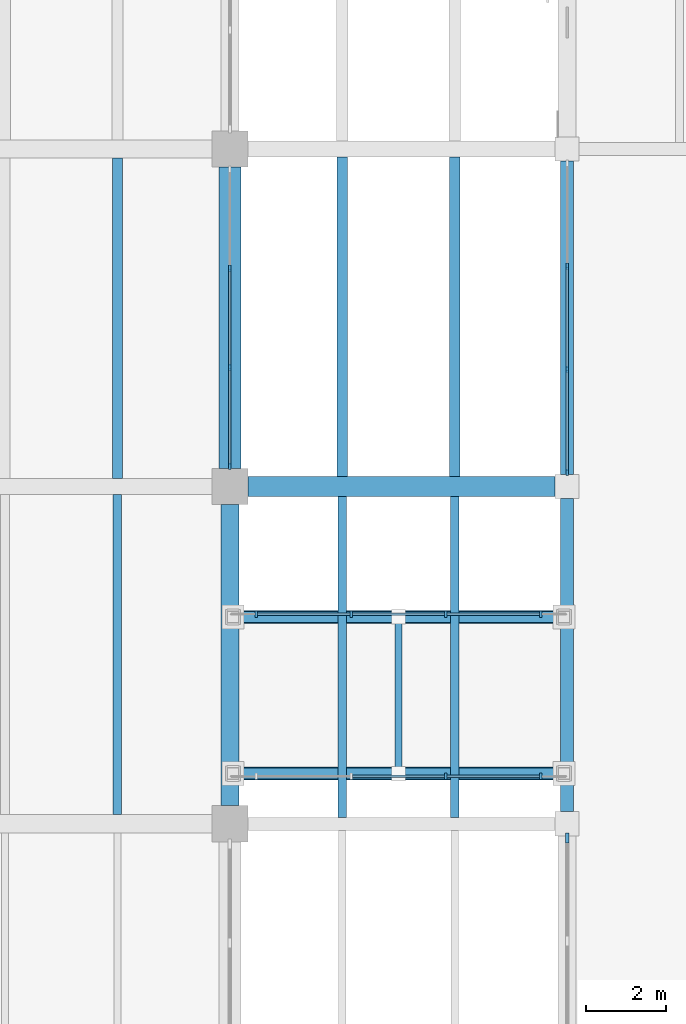
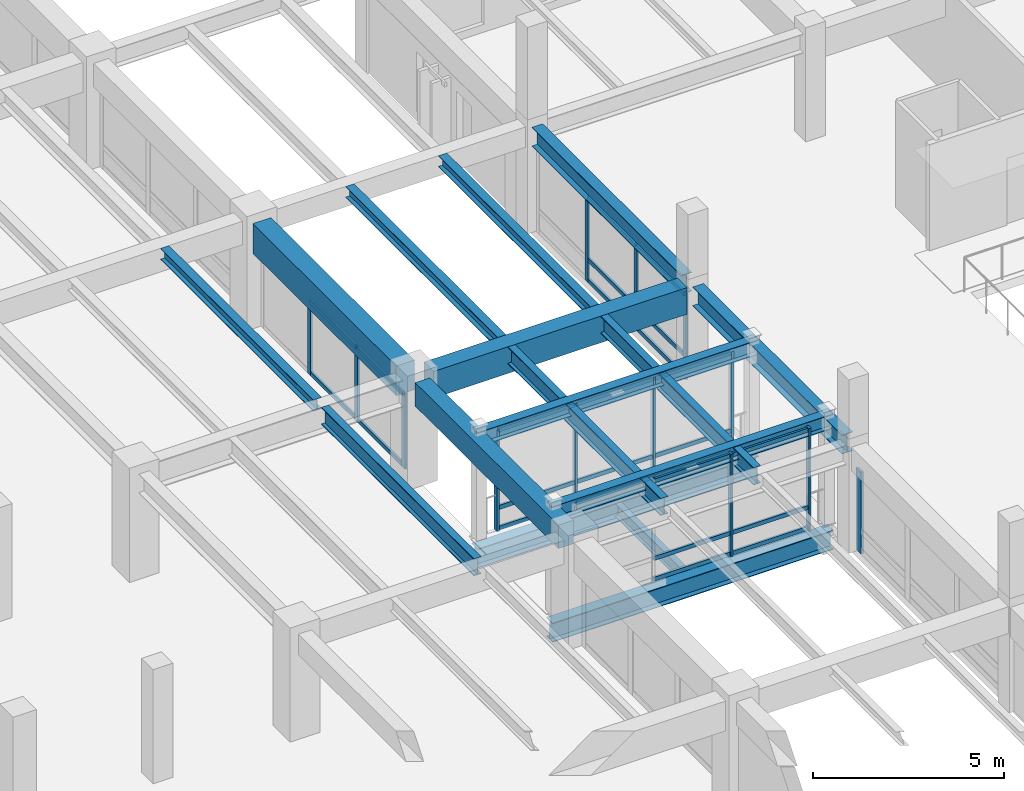
# One storey, part 21 of 118: 38 members, 16 beams, 5 elements without a shape of their own.
"""IFC4 building model written with IfcOpenShell, lengths in metres."""

from ifc_helpers import new_model, si_unit, direction, frame, origin, origin_2d, place, context, subcontext, project, spatial, rectangle, i_section, extrude, material, material_profile, profile_set, type_object, element, aggregate, save


model = new_model("IFC4")

# Units and contexts
model_context = context("Model", 3, precision=1e-05, world=origin(), true_north=direction((0.0, 1.0)))
body_context = subcontext(model_context, "Body", "Model", "MODEL_VIEW")
ifc_project = project(units=[si_unit("LENGTHUNIT", "METRE"), si_unit("AREAUNIT", "SQUARE_METRE"), si_unit("VOLUMEUNIT", "CUBIC_METRE"), si_unit("PLANEANGLEUNIT", "RADIAN"), si_unit("MASSUNIT", "GRAM", prefix="KILO")], contexts=[model_context])

# Site, building, storey
site_placement = place(None, origin())
site = spatial("IfcSite", under=ifc_project, at=site_placement, CompositionType="ELEMENT")
building_placement = place(site_placement, origin())
building = spatial("IfcBuilding", under=site, at=building_placement, Name="Cumbredor Promenade Congress Hotel", CompositionType="ELEMENT")
storey_placement = place(building_placement, frame((0.0, 0.0, 3.919921875)))
storey = spatial("IfcBuildingStorey", under=building, at=storey_placement, Name="L01", CompositionType="ELEMENT", Elevation=3.919921875)

# Beams
ifc_material_1 = material(Name="Concrete C40/50", Category="concrete")
ifc_material_profile_1 = material_profile(ifc_material_1, rectangle(XDim=0.449951171875, YDim=0.75, at=origin_2d()), Name="RC BEAM 450x750")
ifc_profile_set_1 = profile_set([ifc_material_profile_1], Name="Concrete C40/50")
beam_type_1 = type_object("IfcBeamType", Name="BM-RC-450x750", PredefinedType="BEAM", material=ifc_profile_set_1)
beam_1_placement = place(storey_placement, frame((67.199951171875, 25.64990234375, 2.985107421875), z_axis=(0.0, 1.0, 0.0), x_axis=(-1.0, 0.0, 0.0)))
element("IfcBeam", 1, at=beam_1_placement, inside=storey, type_object=beam_type_1, Name="L02 Y-Grid Beam 118", PredefinedType="BEAM", context=body_context, shape_type="SweptSolid", body=[
    extrude(rectangle(XDim=0.449951171875, YDim=0.75, at=origin_2d()), origin(), (0.0, 0.0, 1.0), 7.5),
])
ifc_material_profile_2 = material_profile(ifc_material_1, rectangle(XDim=0.5, YDim=0.85009765625, at=origin_2d()), Name="RC BEAM 500x850")
ifc_profile_set_2 = profile_set([ifc_material_profile_2], Name="Concrete C40/50")
beam_type_2 = type_object("IfcBeamType", Name="BM-RC-500x850", PredefinedType="BEAM", material=ifc_profile_set_2)
beam_2_placement = place(storey_placement, frame((67.64990234375, 33.60009765625, 2.93505859375), z_axis=(1.0, 0.0, 0.0), x_axis=(0.0, 1.0, 0.0)))
element("IfcBeam", 2, at=beam_2_placement, inside=storey, type_object=beam_type_2, Name="L02 X-Grid Beam 119", PredefinedType="BEAM", context=body_context, shape_type="SweptSolid", body=[
    extrude(rectangle(XDim=0.5, YDim=0.85009765625, at=origin_2d()), origin(), (0.0, 0.0, 1.0), 7.650146484375),
])
ifc_material_profile_3 = material_profile(ifc_material_1, rectangle(XDim=0.550048828125, YDim=0.949951171875, at=origin_2d()), Name="RC BEAM 550x950")
ifc_profile_set_3 = profile_set([ifc_material_profile_3], Name="Concrete C40/50")
beam_type_3 = type_object("IfcBeamType", Name="BM-RC-550x950", PredefinedType="BEAM", material=ifc_profile_set_3)
beam_3_placement = place(storey_placement, frame((67.199951171875, 34.050048828125, 2.885009765625), z_axis=(0.0, 1.0, 0.0), x_axis=(-1.0, 0.0, 0.0)))
element("IfcBeam", 3, at=beam_3_placement, inside=storey, type_object=beam_type_3, Name="L02 Y-Grid Beam 120", PredefinedType="BEAM", context=body_context, shape_type="SweptSolid", body=[
    extrude(rectangle(XDim=0.550048828125, YDim=0.949951171875, at=origin_2d()), origin(), (0.0, 0.0, 1.0), 7.5),
])
ifc_material_2 = material(Name="Steel ASTM A992 Grade 50", Category="steel")
ifc_material_profile_4 = material_profile(ifc_material_2, i_section(OverallWidth=0.323974609375, OverallDepth=0.611083984375, WebThickness=0.0126953125, FlangeThickness=0.01904296875, at=origin_2d()), Name="W24X104")
ifc_profile_set_4 = profile_set([ifc_material_profile_4], Name="Steel ASTM A992 Grade 50")
beam_type_4 = type_object("IfcBeamType", Name="BM-W24X104", PredefinedType="BEAM", material=ifc_profile_set_4)
for number, where, z_axis, x_axis, name in (
    (4, (67.159912109375, 26.449951171875, -0.525390625), (1.0, 0.0, 0.0), (0.0, 1.0, 0.0), "L01 Central Plenary-to-Spa Pool Bridge Edge Girder 1"),
    (5, (67.159912109375, 30.35009765625, -0.525390625), (1.0, 0.0, 0.0), (0.0, 1.0, 0.0), "L01 Central Plenary-to-Spa Pool Bridge Edge Girder 2"),
):
    element("IfcBeam", number, at=place(storey_placement, frame(where, z_axis=z_axis, x_axis=x_axis)), inside=storey, type_object=beam_type_4, Name=name, PredefinedType="BEAM", context=body_context, shape_type="SweptSolid", body=[
        extrude(i_section(OverallWidth=0.323974609375, OverallDepth=0.611083984375, WebThickness=0.0126953125, FlangeThickness=0.01904296875, at=origin_2d()), origin(), (0.0, 0.0, 1.0), 8.47998046875),
    ])

# Curtain wall, members
ifc_material_3 = material(Name="Thermally broken anodized aluminium and low-E glass", Category="aluminium")
curtain_wall_type_1 = type_object("IfcCurtainWallType", Name="Unitised Bronze Curtain Wall CW-01", PredefinedType="NOTDEFINED", material=ifc_material_3)
curtain_wall_1_placement = place(storey_placement, origin())
curtain_wall_1 = element("IfcCurtainWall", 6, at=curtain_wall_1_placement, inside=storey, type_object=curtain_wall_type_1, Name="L01 Plenary Congress Hall East Curtain Wall 4", PredefinedType="NOTDEFINED")
ifc_material_4 = material(Name="Thermally broken anodized aluminium", Category="aluminium")
ifc_material_profile_5 = material_profile(ifc_material_4, rectangle(XDim=0.06494140625, YDim=0.159912109375, at=origin_2d()), Name="ALU MULLION 65x160")
ifc_profile_set_5 = profile_set([ifc_material_profile_5], Name="Thermally broken anodized aluminium")
member_type_1 = type_object("IfcMemberType", Name="Curtain Wall Mullion ML-01", PredefinedType="MULLION", material=ifc_profile_set_5)
member_1_placement = place(storey_placement, frame((67.199951171875, 34.10498046875, -0.0078125), z_axis=(0.0, 0.0, 1.0), x_axis=(1.0, 0.0, 0.0)))
member_1 = element("IfcMember", 7, at=member_1_placement, type_object=member_type_1, Name="L01 Plenary Congress Hall East Curtain Wall 4 Mullion 1", PredefinedType="MULLION", context=body_context, shape_type="SweptSolid", body=[
    extrude(rectangle(XDim=0.06494140625, YDim=0.159912109375, at=origin_2d()), origin(), (0.0, 0.0, 1.0), 2.410888671875),
])
member_2_placement = place(storey_placement, frame((67.199951171875, 36.568359375, -0.0078125), z_axis=(0.0, 0.0, 1.0), x_axis=(1.0, 0.0, 0.0)))
member_2 = element("IfcMember", 8, at=member_2_placement, type_object=member_type_1, Name="L01 Plenary Congress Hall East Curtain Wall 4 Mullion 2", PredefinedType="MULLION", context=body_context, shape_type="SweptSolid", body=[
    extrude(rectangle(XDim=0.06494140625, YDim=0.159912109375, at=origin_2d()), origin(), (0.0, 0.0, 1.0), 2.410888671875),
])
member_3_placement = place(storey_placement, frame((67.199951171875, 39.03173828125, -0.0078125), z_axis=(0.0, 0.0, 1.0), x_axis=(1.0, 0.0, 0.0)))
member_3 = element("IfcMember", 9, at=member_3_placement, type_object=member_type_1, Name="L01 Plenary Congress Hall East Curtain Wall 4 Mullion 3", PredefinedType="MULLION", context=body_context, shape_type="SweptSolid", body=[
    extrude(rectangle(XDim=0.06494140625, YDim=0.159912109375, at=origin_2d()), origin(), (0.0, 0.0, 1.0), 2.410888671875),
])

curtain_wall_2_placement = place(storey_placement, origin())
curtain_wall_2 = element("IfcCurtainWall", 10, at=curtain_wall_2_placement, inside=storey, type_object=curtain_wall_type_1, Name="L01 Thermal Spa and Hydrotherapy Pavilion West Curtain Wall 4", PredefinedType="NOTDEFINED")
member_4_placement = place(storey_placement, frame((75.60009765625, 33.955078125, -0.0078125), z_axis=(0.0, 0.0, 1.0), x_axis=(1.0, 0.0, 0.0)))
member_4 = element("IfcMember", 11, at=member_4_placement, type_object=member_type_1, Name="L01 Thermal Spa and Hydrotherapy Pavilion West Curtain Wall 4 Mullion 1", PredefinedType="MULLION", context=body_context, shape_type="SweptSolid", body=[
    extrude(rectangle(XDim=0.06494140625, YDim=0.159912109375, at=origin_2d()), origin(), (0.0, 0.0, 1.0), 2.75),
])
member_5_placement = place(storey_placement, frame((75.60009765625, 36.518310546875, -0.0078125), z_axis=(0.0, 0.0, 1.0), x_axis=(1.0, 0.0, 0.0)))
member_5 = element("IfcMember", 12, at=member_5_placement, type_object=member_type_1, Name="L01 Thermal Spa and Hydrotherapy Pavilion West Curtain Wall 4 Mullion 2", PredefinedType="MULLION", context=body_context, shape_type="SweptSolid", body=[
    extrude(rectangle(XDim=0.06494140625, YDim=0.159912109375, at=origin_2d()), origin(), (0.0, 0.0, 1.0), 2.75),
])
member_6_placement = place(storey_placement, frame((75.60009765625, 39.081787109375, -0.0078125), z_axis=(0.0, 0.0, 1.0), x_axis=(1.0, 0.0, 0.0)))
member_6 = element("IfcMember", 13, at=member_6_placement, type_object=member_type_1, Name="L01 Thermal Spa and Hydrotherapy Pavilion West Curtain Wall 4 Mullion 3", PredefinedType="MULLION", context=body_context, shape_type="SweptSolid", body=[
    extrude(rectangle(XDim=0.06494140625, YDim=0.159912109375, at=origin_2d()), origin(), (0.0, 0.0, 1.0), 2.75),
])

curtain_wall_type_2 = type_object("IfcCurtainWallType", Name="Unitised Bridge Glazing Screen CW-05", PredefinedType="NOTDEFINED", material=ifc_material_3)
curtain_wall_3_placement = place(storey_placement, origin())
curtain_wall_3 = element("IfcCurtainWall", 14, at=curtain_wall_3_placement, inside=storey, type_object=curtain_wall_type_2, Name="L01 Central Plenary-to-Spa Pool Bridge South Glazing Screen", PredefinedType="NOTDEFINED")
member_7_placement = place(storey_placement, frame((72.580078125, 26.3798828125, -0.0078125), z_axis=(0.0, 0.0, 1.0), x_axis=(1.0, 0.0, 0.0)))
member_7 = element("IfcMember", 15, at=member_7_placement, type_object=member_type_1, Name="L01 Central Plenary-to-Spa Pool Bridge South Glazing Screen Mullion 3", PredefinedType="MULLION", context=body_context, shape_type="SweptSolid", body=[
    extrude(rectangle(XDim=0.06494140625, YDim=0.159912109375, at=origin_2d()), origin(), (0.0, 0.0, 1.0), 3.27587890625),
])
member_8_placement = place(storey_placement, frame((74.93994140625, 26.3798828125, -0.0078125), z_axis=(0.0, 0.0, 1.0), x_axis=(1.0, 0.0, 0.0)))
member_8 = element("IfcMember", 16, at=member_8_placement, type_object=member_type_1, Name="L01 Central Plenary-to-Spa Pool Bridge South Glazing Screen Mullion 4", PredefinedType="MULLION", context=body_context, shape_type="SweptSolid", body=[
    extrude(rectangle(XDim=0.06494140625, YDim=0.159912109375, at=origin_2d()), origin(), (0.0, 0.0, 1.0), 3.27587890625),
])

curtain_wall_4_placement = place(storey_placement, origin())
curtain_wall_4 = element("IfcCurtainWall", 17, at=curtain_wall_4_placement, inside=storey, type_object=curtain_wall_type_2, Name="L01 Central Plenary-to-Spa Pool Bridge North Glazing Screen", PredefinedType="NOTDEFINED")
member_9_placement = place(storey_placement, frame((67.860107421875, 30.419921875, -0.0078125), z_axis=(0.0, 0.0, 1.0), x_axis=(1.0, 0.0, 0.0)))
member_9 = element("IfcMember", 18, at=member_9_placement, type_object=member_type_1, Name="L01 Central Plenary-to-Spa Pool Bridge North Glazing Screen Mullion 1", PredefinedType="MULLION", context=body_context, shape_type="SweptSolid", body=[
    extrude(rectangle(XDim=0.06494140625, YDim=0.159912109375, at=origin_2d()), origin(), (0.0, 0.0, 1.0), 3.27587890625),
])
member_10_placement = place(storey_placement, frame((70.219970703125, 30.419921875, -0.0078125), z_axis=(0.0, 0.0, 1.0), x_axis=(1.0, 0.0, 0.0)))
member_10 = element("IfcMember", 19, at=member_10_placement, type_object=member_type_1, Name="L01 Central Plenary-to-Spa Pool Bridge North Glazing Screen Mullion 2", PredefinedType="MULLION", context=body_context, shape_type="SweptSolid", body=[
    extrude(rectangle(XDim=0.06494140625, YDim=0.159912109375, at=origin_2d()), origin(), (0.0, 0.0, 1.0), 3.27587890625),
])
member_11_placement = place(storey_placement, frame((72.580078125, 30.419921875, -0.0078125), z_axis=(0.0, 0.0, 1.0), x_axis=(1.0, 0.0, 0.0)))
member_11 = element("IfcMember", 20, at=member_11_placement, type_object=member_type_1, Name="L01 Central Plenary-to-Spa Pool Bridge North Glazing Screen Mullion 3", PredefinedType="MULLION", context=body_context, shape_type="SweptSolid", body=[
    extrude(rectangle(XDim=0.06494140625, YDim=0.159912109375, at=origin_2d()), origin(), (0.0, 0.0, 1.0), 3.27587890625),
])
member_12_placement = place(storey_placement, frame((74.93994140625, 30.419921875, -0.0078125), z_axis=(0.0, 0.0, 1.0), x_axis=(1.0, 0.0, 0.0)))
member_12 = element("IfcMember", 21, at=member_12_placement, type_object=member_type_1, Name="L01 Central Plenary-to-Spa Pool Bridge North Glazing Screen Mullion 4", PredefinedType="MULLION", context=body_context, shape_type="SweptSolid", body=[
    extrude(rectangle(XDim=0.06494140625, YDim=0.159912109375, at=origin_2d()), origin(), (0.0, 0.0, 1.0), 3.27587890625),
])

# Curtain wall, member
curtain_wall_5_placement = place(storey_placement, origin())
curtain_wall_5 = element("IfcCurtainWall", 22, at=curtain_wall_5_placement, inside=storey, type_object=curtain_wall_type_1, Name="L01 Thermal Spa and Hydrotherapy Pavilion West Curtain Wall 2", PredefinedType="NOTDEFINED")
ifc_material_profile_6 = material_profile(ifc_material_4, rectangle(XDim=0.080078125, YDim=0.239990234375, at=origin_2d()), Name="ALU MULLION 80x240")
ifc_profile_set_6 = profile_set([ifc_material_profile_6], Name="Thermally broken anodized aluminium")
member_type_2 = type_object("IfcMemberType", Name="Curtain Wall Mullion ML-03", PredefinedType="MULLION", material=ifc_profile_set_6)
member_13_placement = place(storey_placement, frame((75.60009765625, 24.844970703125, -0.0078125), z_axis=(0.0, 0.0, 1.0), x_axis=(1.0, 0.0, 0.0)))
member_13 = element("IfcMember", 23, at=member_13_placement, type_object=member_type_2, Name="L01 Thermal Spa and Hydrotherapy Pavilion West Curtain Wall 2 Mullion 4", PredefinedType="MULLION", context=body_context, shape_type="SweptSolid", body=[
    extrude(rectangle(XDim=0.080078125, YDim=0.239990234375, at=origin_2d()), origin(), (0.0, 0.0, 1.0), 2.61083984375),
])
aggregate(curtain_wall_5, [member_13])

# Member
ifc_material_profile_7 = material_profile(ifc_material_4, rectangle(XDim=0.06494140625, YDim=0.1298828125, at=origin_2d()), Name="ALU TRANSOM 65x130")
ifc_profile_set_7 = profile_set([ifc_material_profile_7], Name="Thermally broken anodized aluminium")
member_type_3 = type_object("IfcMemberType", Name="Curtain Wall Transom TR-01", PredefinedType="USERDEFINED", material=ifc_profile_set_7)
member_14_placement = place(storey_placement, frame((67.199951171875, 34.137451171875, 0.06005859375), z_axis=(0.0, 1.0, 0.0), x_axis=(-1.0, 0.0, 0.0)))
member_14 = element("IfcMember", 24, at=member_14_placement, type_object=member_type_3, Name="L01 Plenary Congress Hall East Curtain Wall 4 Transom 1.1", ObjectType="TRANSOM", PredefinedType="USERDEFINED", context=body_context, shape_type="SweptSolid", body=[
    extrude(rectangle(XDim=0.06494140625, YDim=0.1298828125, at=origin_2d()), origin(), (0.0, 0.0, 1.0), 2.3984375),
])

member_15_placement = place(storey_placement, frame((67.199951171875, 34.137451171875, 2.330078125), z_axis=(0.0, 1.0, 0.0), x_axis=(-1.0, 0.0, 0.0)))
member_15 = element("IfcMember", 25, at=member_15_placement, type_object=member_type_3, Name="L01 Plenary Congress Hall East Curtain Wall 4 Transom 1.2", ObjectType="TRANSOM", PredefinedType="USERDEFINED", context=body_context, shape_type="SweptSolid", body=[
    extrude(rectangle(XDim=0.06494140625, YDim=0.1298828125, at=origin_2d()), origin(), (0.0, 0.0, 1.0), 2.3984375),
])

member_16_placement = place(storey_placement, frame((67.199951171875, 36.600830078125, 0.06005859375), z_axis=(0.0, 1.0, 0.0), x_axis=(-1.0, 0.0, 0.0)))
member_16 = element("IfcMember", 26, at=member_16_placement, type_object=member_type_3, Name="L01 Plenary Congress Hall East Curtain Wall 4 Transom 2.1", ObjectType="TRANSOM", PredefinedType="USERDEFINED", context=body_context, shape_type="SweptSolid", body=[
    extrude(rectangle(XDim=0.06494140625, YDim=0.1298828125, at=origin_2d()), origin(), (0.0, 0.0, 1.0), 2.3984375),
])

member_17_placement = place(storey_placement, frame((67.199951171875, 36.600830078125, 2.330078125), z_axis=(0.0, 1.0, 0.0), x_axis=(-1.0, 0.0, 0.0)))
member_17 = element("IfcMember", 27, at=member_17_placement, type_object=member_type_3, Name="L01 Plenary Congress Hall East Curtain Wall 4 Transom 2.2", ObjectType="TRANSOM", PredefinedType="USERDEFINED", context=body_context, shape_type="SweptSolid", body=[
    extrude(rectangle(XDim=0.06494140625, YDim=0.1298828125, at=origin_2d()), origin(), (0.0, 0.0, 1.0), 2.3984375),
])

aggregate(curtain_wall_1, [member_1, member_2, member_3, member_14, member_15, member_16, member_17])

member_18_placement = place(storey_placement, frame((75.60009765625, 33.987548828125, 0.06005859375), z_axis=(0.0, 1.0, 0.0), x_axis=(-1.0, 0.0, 0.0)))
member_18 = element("IfcMember", 28, at=member_18_placement, type_object=member_type_3, Name="L01 Thermal Spa and Hydrotherapy Pavilion West Curtain Wall 4 Transom 1.1", ObjectType="TRANSOM", PredefinedType="USERDEFINED", context=body_context, shape_type="SweptSolid", body=[
    extrude(rectangle(XDim=0.06494140625, YDim=0.1298828125, at=origin_2d()), origin(), (0.0, 0.0, 1.0), 2.498291015625),
])

member_19_placement = place(storey_placement, frame((75.60009765625, 33.987548828125, 0.719970703125), z_axis=(0.0, 1.0, 0.0), x_axis=(-1.0, 0.0, 0.0)))
member_19 = element("IfcMember", 29, at=member_19_placement, type_object=member_type_3, Name="L01 Thermal Spa and Hydrotherapy Pavilion West Curtain Wall 4 Transom 1.2", ObjectType="TRANSOM", PredefinedType="USERDEFINED", context=body_context, shape_type="SweptSolid", body=[
    extrude(rectangle(XDim=0.06494140625, YDim=0.1298828125, at=origin_2d()), origin(), (0.0, 0.0, 1.0), 2.498291015625),
])

member_20_placement = place(storey_placement, frame((75.60009765625, 33.987548828125, 2.670166015625), z_axis=(0.0, 1.0, 0.0), x_axis=(-1.0, 0.0, 0.0)))
member_20 = element("IfcMember", 30, at=member_20_placement, type_object=member_type_3, Name="L01 Thermal Spa and Hydrotherapy Pavilion West Curtain Wall 4 Transom 1.3", ObjectType="TRANSOM", PredefinedType="USERDEFINED", context=body_context, shape_type="SweptSolid", body=[
    extrude(rectangle(XDim=0.06494140625, YDim=0.1298828125, at=origin_2d()), origin(), (0.0, 0.0, 1.0), 2.498291015625),
])

member_21_placement = place(storey_placement, frame((75.60009765625, 36.55078125, 0.06005859375), z_axis=(0.0, 1.0, 0.0), x_axis=(-1.0, 0.0, 0.0)))
member_21 = element("IfcMember", 31, at=member_21_placement, type_object=member_type_3, Name="L01 Thermal Spa and Hydrotherapy Pavilion West Curtain Wall 4 Transom 2.1", ObjectType="TRANSOM", PredefinedType="USERDEFINED", context=body_context, shape_type="SweptSolid", body=[
    extrude(rectangle(XDim=0.06494140625, YDim=0.1298828125, at=origin_2d()), origin(), (0.0, 0.0, 1.0), 2.49853515625),
])

member_22_placement = place(storey_placement, frame((75.60009765625, 36.55078125, 0.719970703125), z_axis=(0.0, 1.0, 0.0), x_axis=(-1.0, 0.0, 0.0)))
member_22 = element("IfcMember", 32, at=member_22_placement, type_object=member_type_3, Name="L01 Thermal Spa and Hydrotherapy Pavilion West Curtain Wall 4 Transom 2.2", ObjectType="TRANSOM", PredefinedType="USERDEFINED", context=body_context, shape_type="SweptSolid", body=[
    extrude(rectangle(XDim=0.06494140625, YDim=0.1298828125, at=origin_2d()), origin(), (0.0, 0.0, 1.0), 2.49853515625),
])

member_23_placement = place(storey_placement, frame((75.60009765625, 36.55078125, 2.670166015625), z_axis=(0.0, 1.0, 0.0), x_axis=(-1.0, 0.0, 0.0)))
member_23 = element("IfcMember", 33, at=member_23_placement, type_object=member_type_3, Name="L01 Thermal Spa and Hydrotherapy Pavilion West Curtain Wall 4 Transom 2.3", ObjectType="TRANSOM", PredefinedType="USERDEFINED", context=body_context, shape_type="SweptSolid", body=[
    extrude(rectangle(XDim=0.06494140625, YDim=0.1298828125, at=origin_2d()), origin(), (0.0, 0.0, 1.0), 2.49853515625),
])

aggregate(curtain_wall_2, [member_4, member_5, member_6, member_18, member_19, member_20, member_21, member_22, member_23])

member_24_placement = place(storey_placement, frame((70.25244140625, 26.3798828125, 0.06005859375), z_axis=(1.0, 0.0, 0.0), x_axis=(0.0, 1.0, 0.0)))
member_24 = element("IfcMember", 34, at=member_24_placement, type_object=member_type_3, Name="L01 Central Plenary-to-Spa Pool Bridge South Glazing Screen Transom 2.1", ObjectType="TRANSOM", PredefinedType="USERDEFINED", context=body_context, shape_type="SweptSolid", body=[
    extrude(rectangle(XDim=0.06494140625, YDim=0.1298828125, at=origin_2d()), origin(), (0.0, 0.0, 1.0), 2.295166015625),
])

member_25_placement = place(storey_placement, frame((70.25244140625, 26.3798828125, 0.719970703125), z_axis=(1.0, 0.0, 0.0), x_axis=(0.0, 1.0, 0.0)))
member_25 = element("IfcMember", 35, at=member_25_placement, type_object=member_type_3, Name="L01 Central Plenary-to-Spa Pool Bridge South Glazing Screen Transom 2.2", ObjectType="TRANSOM", PredefinedType="USERDEFINED", context=body_context, shape_type="SweptSolid", body=[
    extrude(rectangle(XDim=0.06494140625, YDim=0.1298828125, at=origin_2d()), origin(), (0.0, 0.0, 1.0), 2.295166015625),
])

member_26_placement = place(storey_placement, frame((70.25244140625, 26.3798828125, 3.190185546875), z_axis=(1.0, 0.0, 0.0), x_axis=(0.0, 1.0, 0.0)))
member_26 = element("IfcMember", 36, at=member_26_placement, type_object=member_type_3, Name="L01 Central Plenary-to-Spa Pool Bridge South Glazing Screen Transom 2.3", ObjectType="TRANSOM", PredefinedType="USERDEFINED", context=body_context, shape_type="SweptSolid", body=[
    extrude(rectangle(XDim=0.06494140625, YDim=0.1298828125, at=origin_2d()), origin(), (0.0, 0.0, 1.0), 2.295166015625),
])

member_27_placement = place(storey_placement, frame((72.612548828125, 26.3798828125, 0.06005859375), z_axis=(1.0, 0.0, 0.0), x_axis=(0.0, 1.0, 0.0)))
member_27 = element("IfcMember", 37, at=member_27_placement, type_object=member_type_3, Name="L01 Central Plenary-to-Spa Pool Bridge South Glazing Screen Transom 3.1", ObjectType="TRANSOM", PredefinedType="USERDEFINED", context=body_context, shape_type="SweptSolid", body=[
    extrude(rectangle(XDim=0.06494140625, YDim=0.1298828125, at=origin_2d()), origin(), (0.0, 0.0, 1.0), 2.294921875),
])

member_28_placement = place(storey_placement, frame((72.612548828125, 26.3798828125, 0.719970703125), z_axis=(1.0, 0.0, 0.0), x_axis=(0.0, 1.0, 0.0)))
member_28 = element("IfcMember", 38, at=member_28_placement, type_object=member_type_3, Name="L01 Central Plenary-to-Spa Pool Bridge South Glazing Screen Transom 3.2", ObjectType="TRANSOM", PredefinedType="USERDEFINED", context=body_context, shape_type="SweptSolid", body=[
    extrude(rectangle(XDim=0.06494140625, YDim=0.1298828125, at=origin_2d()), origin(), (0.0, 0.0, 1.0), 2.294921875),
])

member_29_placement = place(storey_placement, frame((72.612548828125, 26.3798828125, 3.190185546875), z_axis=(1.0, 0.0, 0.0), x_axis=(0.0, 1.0, 0.0)))
member_29 = element("IfcMember", 39, at=member_29_placement, type_object=member_type_3, Name="L01 Central Plenary-to-Spa Pool Bridge South Glazing Screen Transom 3.3", ObjectType="TRANSOM", PredefinedType="USERDEFINED", context=body_context, shape_type="SweptSolid", body=[
    extrude(rectangle(XDim=0.06494140625, YDim=0.1298828125, at=origin_2d()), origin(), (0.0, 0.0, 1.0), 2.294921875),
])

aggregate(curtain_wall_3, [member_7, member_8, member_24, member_25, member_26, member_27, member_28, member_29])

member_30_placement = place(storey_placement, frame((67.892578125, 30.419921875, 0.06005859375), z_axis=(1.0, 0.0, 0.0), x_axis=(0.0, 1.0, 0.0)))
member_30 = element("IfcMember", 40, at=member_30_placement, type_object=member_type_3, Name="L01 Central Plenary-to-Spa Pool Bridge North Glazing Screen Transom 1.1", ObjectType="TRANSOM", PredefinedType="USERDEFINED", context=body_context, shape_type="SweptSolid", body=[
    extrude(rectangle(XDim=0.06494140625, YDim=0.1298828125, at=origin_2d()), origin(), (0.0, 0.0, 1.0), 2.294921875),
])

member_31_placement = place(storey_placement, frame((67.892578125, 30.419921875, 0.719970703125), z_axis=(1.0, 0.0, 0.0), x_axis=(0.0, 1.0, 0.0)))
member_31 = element("IfcMember", 41, at=member_31_placement, type_object=member_type_3, Name="L01 Central Plenary-to-Spa Pool Bridge North Glazing Screen Transom 1.2", ObjectType="TRANSOM", PredefinedType="USERDEFINED", context=body_context, shape_type="SweptSolid", body=[
    extrude(rectangle(XDim=0.06494140625, YDim=0.1298828125, at=origin_2d()), origin(), (0.0, 0.0, 1.0), 2.294921875),
])

member_32_placement = place(storey_placement, frame((67.892578125, 30.419921875, 3.190185546875), z_axis=(1.0, 0.0, 0.0), x_axis=(0.0, 1.0, 0.0)))
member_32 = element("IfcMember", 42, at=member_32_placement, type_object=member_type_3, Name="L01 Central Plenary-to-Spa Pool Bridge North Glazing Screen Transom 1.3", ObjectType="TRANSOM", PredefinedType="USERDEFINED", context=body_context, shape_type="SweptSolid", body=[
    extrude(rectangle(XDim=0.06494140625, YDim=0.1298828125, at=origin_2d()), origin(), (0.0, 0.0, 1.0), 2.294921875),
])

member_33_placement = place(storey_placement, frame((70.25244140625, 30.419921875, 0.06005859375), z_axis=(1.0, 0.0, 0.0), x_axis=(0.0, 1.0, 0.0)))
member_33 = element("IfcMember", 43, at=member_33_placement, type_object=member_type_3, Name="L01 Central Plenary-to-Spa Pool Bridge North Glazing Screen Transom 2.1", ObjectType="TRANSOM", PredefinedType="USERDEFINED", context=body_context, shape_type="SweptSolid", body=[
    extrude(rectangle(XDim=0.06494140625, YDim=0.1298828125, at=origin_2d()), origin(), (0.0, 0.0, 1.0), 2.295166015625),
])

member_34_placement = place(storey_placement, frame((70.25244140625, 30.419921875, 0.719970703125), z_axis=(1.0, 0.0, 0.0), x_axis=(0.0, 1.0, 0.0)))
member_34 = element("IfcMember", 44, at=member_34_placement, type_object=member_type_3, Name="L01 Central Plenary-to-Spa Pool Bridge North Glazing Screen Transom 2.2", ObjectType="TRANSOM", PredefinedType="USERDEFINED", context=body_context, shape_type="SweptSolid", body=[
    extrude(rectangle(XDim=0.06494140625, YDim=0.1298828125, at=origin_2d()), origin(), (0.0, 0.0, 1.0), 2.295166015625),
])

member_35_placement = place(storey_placement, frame((70.25244140625, 30.419921875, 3.190185546875), z_axis=(1.0, 0.0, 0.0), x_axis=(0.0, 1.0, 0.0)))
member_35 = element("IfcMember", 45, at=member_35_placement, type_object=member_type_3, Name="L01 Central Plenary-to-Spa Pool Bridge North Glazing Screen Transom 2.3", ObjectType="TRANSOM", PredefinedType="USERDEFINED", context=body_context, shape_type="SweptSolid", body=[
    extrude(rectangle(XDim=0.06494140625, YDim=0.1298828125, at=origin_2d()), origin(), (0.0, 0.0, 1.0), 2.295166015625),
])

member_36_placement = place(storey_placement, frame((72.612548828125, 30.419921875, 0.06005859375), z_axis=(1.0, 0.0, 0.0), x_axis=(0.0, 1.0, 0.0)))
member_36 = element("IfcMember", 46, at=member_36_placement, type_object=member_type_3, Name="L01 Central Plenary-to-Spa Pool Bridge North Glazing Screen Transom 3.1", ObjectType="TRANSOM", PredefinedType="USERDEFINED", context=body_context, shape_type="SweptSolid", body=[
    extrude(rectangle(XDim=0.06494140625, YDim=0.1298828125, at=origin_2d()), origin(), (0.0, 0.0, 1.0), 2.294921875),
])

member_37_placement = place(storey_placement, frame((72.612548828125, 30.419921875, 0.719970703125), z_axis=(1.0, 0.0, 0.0), x_axis=(0.0, 1.0, 0.0)))
member_37 = element("IfcMember", 47, at=member_37_placement, type_object=member_type_3, Name="L01 Central Plenary-to-Spa Pool Bridge North Glazing Screen Transom 3.2", ObjectType="TRANSOM", PredefinedType="USERDEFINED", context=body_context, shape_type="SweptSolid", body=[
    extrude(rectangle(XDim=0.06494140625, YDim=0.1298828125, at=origin_2d()), origin(), (0.0, 0.0, 1.0), 2.294921875),
])

member_38_placement = place(storey_placement, frame((72.612548828125, 30.419921875, 3.190185546875), z_axis=(1.0, 0.0, 0.0), x_axis=(0.0, 1.0, 0.0)))
member_38 = element("IfcMember", 48, at=member_38_placement, type_object=member_type_3, Name="L01 Central Plenary-to-Spa Pool Bridge North Glazing Screen Transom 3.3", ObjectType="TRANSOM", PredefinedType="USERDEFINED", context=body_context, shape_type="SweptSolid", body=[
    extrude(rectangle(XDim=0.06494140625, YDim=0.1298828125, at=origin_2d()), origin(), (0.0, 0.0, 1.0), 2.294921875),
])

aggregate(curtain_wall_4, [member_9, member_10, member_11, member_12, member_30, member_31, member_32, member_33, member_34, member_35, member_36, member_37, member_38])

# Beams
ifc_material_profile_8 = material_profile(ifc_material_2, i_section(OverallWidth=0.2548828125, OverallDepth=0.35693359375, WebThickness=0.010498046875, FlangeThickness=0.018310546875, at=origin_2d()), Name="W14X68")
ifc_profile_set_8 = profile_set([ifc_material_profile_8], Name="Steel ASTM A992 Grade 50")
beam_type_5 = type_object("IfcBeamType", Name="JST-W14X68", PredefinedType="JOIST", material=ifc_profile_set_8)
beam_4_placement = place(storey_placement, frame((64.39990234375, 33.800048828125, 3.181640625), z_axis=(0.0, 1.0, 0.0), x_axis=(-1.0, 0.0, 0.0)))
element("IfcBeam", 49, at=beam_4_placement, inside=storey, type_object=beam_type_5, Name="L02 Secondary Floor Joist 0049", PredefinedType="JOIST", context=body_context, shape_type="SweptSolid", body=[
    extrude(i_section(OverallWidth=0.2548828125, OverallDepth=0.35693359375, WebThickness=0.010498046875, FlangeThickness=0.018310546875, at=origin_2d()), origin(), (0.0, 0.0, 1.0), 7.974853515625),
])
for number, where, z_axis, x_axis, name in (
    (50, (70.0, 33.85009765625, 3.181640625), (0.0, 1.0, 0.0), (-1.0, 0.0, 0.0), "L02 Secondary Floor Joist 0068"),
    (51, (72.800048828125, 33.85009765625, 3.181640625), (0.0, 1.0, 0.0), (-1.0, 0.0, 0.0), "L02 Secondary Floor Joist 0069"),
):
    element("IfcBeam", number, at=place(storey_placement, frame(where, z_axis=z_axis, x_axis=x_axis)), inside=storey, type_object=beam_type_5, Name=name, PredefinedType="JOIST", context=body_context, shape_type="SweptSolid", body=[
        extrude(i_section(OverallWidth=0.2548828125, OverallDepth=0.35693359375, WebThickness=0.010498046875, FlangeThickness=0.018310546875, at=origin_2d()), origin(), (0.0, 0.0, 1.0), 7.949951171875),
    ])
ifc_material_profile_9 = material_profile(ifc_material_2, i_section(OverallWidth=0.180908203125, OverallDepth=0.4169921875, WebThickness=0.010986328125, FlangeThickness=0.018310546875, at=origin_2d()), Name="W16X57")
ifc_profile_set_9 = profile_set([ifc_material_profile_9], Name="Steel ASTM A992 Grade 50")
beam_type_6 = type_object("IfcBeamType", Name="JST-W16X57", PredefinedType="JOIST", material=ifc_profile_set_9)
beam_5_placement = place(storey_placement, frame((71.39990234375, 26.60009765625, -0.428466796875), z_axis=(0.0, 1.0, 0.0), x_axis=(-1.0, 0.0, 0.0)))
element("IfcBeam", 52, at=beam_5_placement, inside=storey, type_object=beam_type_6, Name="L01 Central Plenary-to-Spa Pool Bridge Cross Beam", PredefinedType="JOIST", context=body_context, shape_type="SweptSolid", body=[
    extrude(i_section(OverallWidth=0.180908203125, OverallDepth=0.4169921875, WebThickness=0.010986328125, FlangeThickness=0.018310546875, at=origin_2d()), origin(), (0.0, 0.0, 1.0), 3.599853515625),
])
ifc_material_profile_10 = material_profile(ifc_material_2, i_section(OverallWidth=0.280029296875, OverallDepth=0.462890625, WebThickness=0.0107421875, FlangeThickness=0.017333984375, at=origin_2d()), Name="W18X76")
ifc_profile_set_10 = profile_set([ifc_material_profile_10], Name="Steel ASTM A992 Grade 50")
beam_type_7 = type_object("IfcBeamType", Name="JST-W18X76", PredefinedType="JOIST", material=ifc_profile_set_10)
for number, where, z_axis, x_axis, name in (
    (53, (67.159912109375, 26.449951171875, 3.24365234375), (1.0, 0.0, 0.0), (0.0, 1.0, 0.0), "Central Plenary-to-Spa Pool Bridge Roof Edge Beam 1"),
    (54, (67.159912109375, 30.35009765625, 3.24365234375), (1.0, 0.0, 0.0), (0.0, 1.0, 0.0), "Central Plenary-to-Spa Pool Bridge Roof Edge Beam 2"),
):
    element("IfcBeam", number, at=place(storey_placement, frame(where, z_axis=z_axis, x_axis=x_axis)), inside=storey, type_object=beam_type_7, Name=name, PredefinedType="JOIST", context=body_context, shape_type="SweptSolid", body=[
        extrude(i_section(OverallWidth=0.280029296875, OverallDepth=0.462890625, WebThickness=0.0107421875, FlangeThickness=0.017333984375, at=origin_2d()), origin(), (0.0, 0.0, 1.0), 8.47998046875),
    ])
ifc_material_profile_11 = material_profile(ifc_material_2, i_section(OverallWidth=0.214111328125, OverallDepth=0.549072265625, WebThickness=0.0146484375, FlangeThickness=0.023681640625, at=origin_2d()), Name="W21X93")
ifc_profile_set_11 = profile_set([ifc_material_profile_11], Name="Steel ASTM A992 Grade 50")
beam_type_8 = type_object("IfcBeamType", Name="JST-W21X93", PredefinedType="JOIST", material=ifc_profile_set_11)
beam_6_placement = place(storey_placement, frame((64.39990234375, 25.425048828125, 3.085693359375), z_axis=(0.0, 1.0, 0.0), x_axis=(-1.0, 0.0, 0.0)))
element("IfcBeam", 55, at=beam_6_placement, inside=storey, type_object=beam_type_8, Name="L02 Secondary Floor Joist 0047", PredefinedType="JOIST", context=body_context, shape_type="SweptSolid", body=[
    extrude(i_section(OverallWidth=0.214111328125, OverallDepth=0.549072265625, WebThickness=0.0146484375, FlangeThickness=0.023681640625, at=origin_2d()), origin(), (0.0, 0.0, 1.0), 7.974853515625),
])
for number, where, z_axis, x_axis, name in (
    (56, (70.0, 25.362060546875, 3.085693359375), (0.0, 1.0, 0.0), (-1.0, 0.0, 0.0), "L02 Secondary Floor Joist 0066"),
    (57, (72.800048828125, 25.362060546875, 3.085693359375), (0.0, 1.0, 0.0), (-1.0, 0.0, 0.0), "L02 Secondary Floor Joist 0067"),
):
    element("IfcBeam", number, at=place(storey_placement, frame(where, z_axis=z_axis, x_axis=x_axis)), inside=storey, type_object=beam_type_8, Name=name, PredefinedType="JOIST", context=body_context, shape_type="SweptSolid", body=[
        extrude(i_section(OverallWidth=0.214111328125, OverallDepth=0.549072265625, WebThickness=0.0146484375, FlangeThickness=0.023681640625, at=origin_2d()), origin(), (0.0, 0.0, 1.0), 7.988037109375),
    ])
ifc_material_profile_12 = material_profile(ifc_material_2, i_section(OverallWidth=0.323974609375, OverallDepth=0.611083984375, WebThickness=0.0126953125, FlangeThickness=0.01904296875, at=origin_2d()), Name="W24X104")
ifc_profile_set_12 = profile_set([ifc_material_profile_12], Name="Steel ASTM A992 Grade 50")
beam_type_9 = type_object("IfcBeamType", Name="SP-W24X104", PredefinedType="SPANDREL", material=ifc_profile_set_12)
for number, where, z_axis, x_axis, name in (
    (58, (75.60009765625, 25.5, 3.0546875), (0.0, 1.0, 0.0), (-1.0, 0.0, 0.0), "L02 Y-Grid Beam 139"),
    (59, (75.60009765625, 33.89990234375, 3.0546875), (0.0, 1.0, 0.0), (-1.0, 0.0, 0.0), "L02 Y-Grid Beam 140"),
):
    element("IfcBeam", number, at=place(storey_placement, frame(where, z_axis=z_axis, x_axis=x_axis)), inside=storey, type_object=beam_type_9, Name=name, PredefinedType="SPANDREL", context=body_context, shape_type="SweptSolid", body=[
        extrude(i_section(OverallWidth=0.323974609375, OverallDepth=0.611083984375, WebThickness=0.0126953125, FlangeThickness=0.01904296875, at=origin_2d()), origin(), (0.0, 0.0, 1.0), 7.800048828125),
    ])

save(model, "model.ifc")
